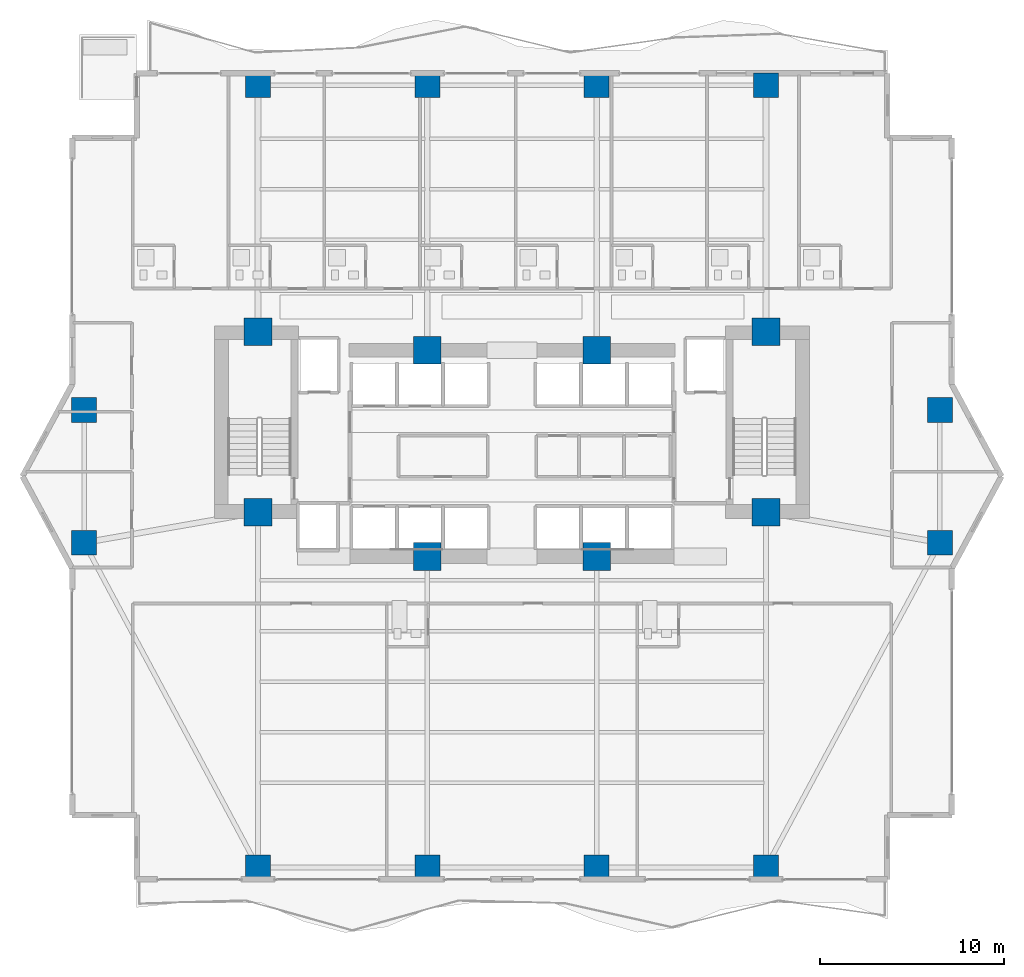
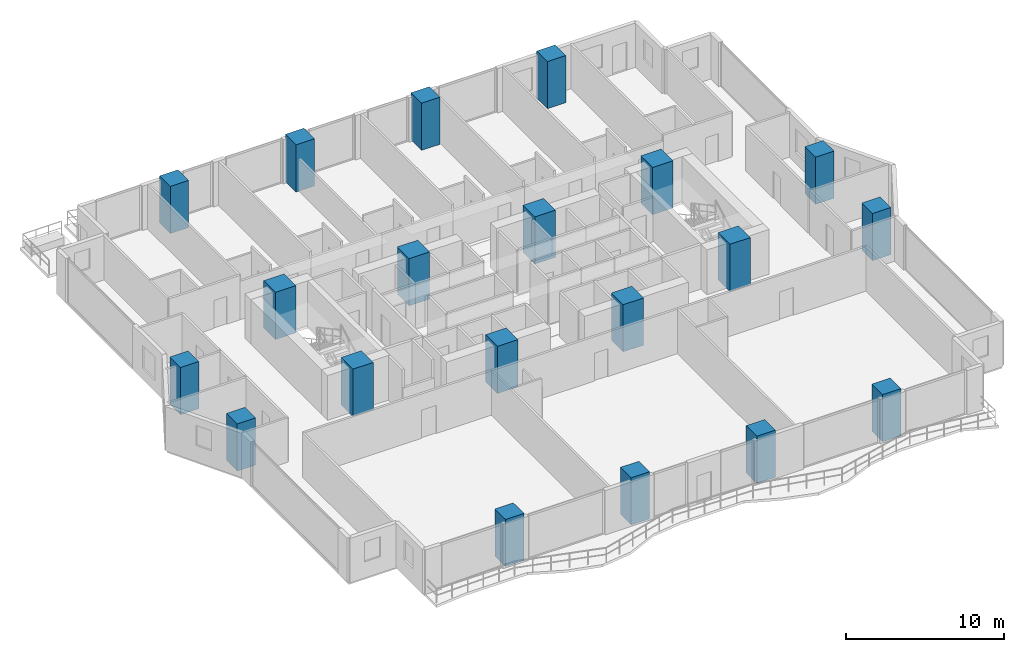
# One storey, part 1 of 29: 20 columns.
"""IFC4 building model written with IfcOpenShell, lengths in metres."""

from ifc_helpers import new_model, si_unit, direction, frame, origin, origin_2d, place, context, subcontext, project, spatial, rectangle, extrude, material, material_profile, profile_set, type_object, element, save


model = new_model("IFC4")

# Units and contexts
model_context = context("Model", 3, precision=1e-05, world=origin(), true_north=direction((0.0, 1.0)))
body_context = subcontext(model_context, "Body", "Model", "MODEL_VIEW")
ifc_project = project(units=[si_unit("LENGTHUNIT", "METRE"), si_unit("AREAUNIT", "SQUARE_METRE"), si_unit("VOLUMEUNIT", "CUBIC_METRE"), si_unit("PLANEANGLEUNIT", "RADIAN"), si_unit("MASSUNIT", "GRAM", prefix="KILO")], contexts=[model_context])

# Site, building, storey
site_placement = place(None, origin())
site = spatial("IfcSite", under=ifc_project, at=site_placement, CompositionType="ELEMENT")
building_placement = place(site_placement, origin())
building = spatial("IfcBuilding", under=site, at=building_placement, Name="Zuhayl Quay Hotel", CompositionType="ELEMENT")
storey_placement = place(building_placement, frame((0.0, 0.0, 113.89990234375)))
storey = spatial("IfcBuildingStorey", under=building, at=storey_placement, Name="L28", CompositionType="ELEMENT", Elevation=113.89990234375)

# Columns
ifc_material = material(Name="Concrete C70/85", Category="concrete")
ifc_material_profile_1 = material_profile(ifc_material, rectangle(XDim=1.5, YDim=1.5, at=origin_2d()), Name="RC1500X1500")
ifc_profile_set_1 = profile_set([ifc_material_profile_1], Name="Concrete C70/85")
column_type_1 = type_object("IfcColumnType", Name="CL_CC1_1500", PredefinedType="COLUMN", material=ifc_profile_set_1)
for number, where, z_axis, x_axis, name in (
    (1, (-13.800048828125, 14.35009765625, 0.0), (0.0, 0.0, 1.0), (1.0, 0.0, 0.0), "L28 Core Column CC_NW"),
    (2, (-4.60009765625, 13.35009765625, 0.0), (0.0, 0.0, 1.0), (1.0, 0.0, 0.0), "L28 Core Column CC_CNW"),
    (3, (4.60009765625, 13.35009765625, 0.0), (0.0, 0.0, 1.0), (1.0, 0.0, 0.0), "L28 Core Column CC_CNE"),
    (4, (13.800048828125, 14.35009765625, 0.0), (0.0, 0.0, 1.0), (1.0, 0.0, 0.0), "L28 Core Column CC_NE"),
    (5, (-13.800048828125, 4.550048828125, 0.0), (0.0, 0.0, 1.0), (1.0, 0.0, 0.0), "L28 Core Column CC_SW"),
    (6, (-4.60009765625, 2.14990234375, 0.0), (0.0, 0.0, 1.0), (1.0, 0.0, 0.0), "L28 Core Column CC_CSW"),
    (7, (4.60009765625, 2.14990234375, 0.0), (0.0, 0.0, 1.0), (1.0, 0.0, 0.0), "L28 Core Column CC_CSE"),
    (8, (13.800048828125, 4.550048828125, 0.0), (0.0, 0.0, 1.0), (1.0, 0.0, 0.0), "L28 Core Column CC_SE"),
):
    element("IfcColumn", number, at=place(storey_placement, frame(where, z_axis=z_axis, x_axis=x_axis)), inside=storey, type_object=column_type_1, Name=name, PredefinedType="COLUMN", context=body_context, shape_type="SweptSolid", body=[
        extrude(rectangle(XDim=1.5, YDim=1.5, at=origin_2d()), origin(), (0.0, 0.0, 1.0), 3.650146484375),
    ])
ifc_material_profile_2 = material_profile(ifc_material, rectangle(XDim=1.35009765625, YDim=1.35009765625, at=origin_2d()), Name="RC1350X1350")
ifc_profile_set_2 = profile_set([ifc_material_profile_2], Name="Concrete C70/85")
column_type_2 = type_object("IfcColumnType", Name="CL_MC2_1350", PredefinedType="COLUMN", material=ifc_profile_set_2)
for number, where, z_axis, x_axis, name in (
    (9, (-13.800048828125, -14.75, 0.0), (0.0, 0.0, 1.0), (1.0, 0.0, 0.0), "L28 Mega-Column MC_S1"),
    (10, (-4.60009765625, -14.75, 0.0), (0.0, 0.0, 1.0), (1.0, 0.0, 0.0), "L28 Mega-Column MC_S2"),
    (11, (4.60009765625, -14.75, 0.0), (0.0, 0.0, 1.0), (1.0, 0.0, 0.0), "L28 Mega-Column MC_S3"),
    (12, (13.800048828125, -14.75, 0.0), (0.0, 0.0, 1.0), (1.0, 0.0, 0.0), "L28 Mega-Column MC_S4"),
    (13, (-13.800048828125, 27.75, 0.0), (0.0, 0.0, 1.0), (1.0, 0.0, 0.0), "L28 Mega-Column MC_N1"),
    (14, (-4.60009765625, 27.75, 0.0), (0.0, 0.0, 1.0), (1.0, 0.0, 0.0), "L28 Mega-Column MC_N2"),
    (15, (4.60009765625, 27.75, 0.0), (0.0, 0.0, 1.0), (1.0, 0.0, 0.0), "L28 Mega-Column MC_N3"),
    (16, (13.800048828125, 27.75, 0.0), (0.0, 0.0, 1.0), (1.0, 0.0, 0.0), "L28 Mega-Column MC_N4"),
    (17, (-23.25, 2.89990234375, 0.0), (0.0, 0.0, 1.0), (1.0, 0.0, 0.0), "L28 Mega-Column MC_W1"),
    (18, (-23.25, 10.10009765625, 0.0), (0.0, 0.0, 1.0), (1.0, 0.0, 0.0), "L28 Mega-Column MC_W2"),
    (19, (23.25, 2.89990234375, 0.0), (0.0, 0.0, 1.0), (1.0, 0.0, 0.0), "L28 Mega-Column MC_E1"),
    (20, (23.25, 10.10009765625, 0.0), (0.0, 0.0, 1.0), (1.0, 0.0, 0.0), "L28 Mega-Column MC_E2"),
):
    element("IfcColumn", number, at=place(storey_placement, frame(where, z_axis=z_axis, x_axis=x_axis)), inside=storey, type_object=column_type_2, Name=name, PredefinedType="COLUMN", context=body_context, shape_type="SweptSolid", body=[
        extrude(rectangle(XDim=1.35009765625, YDim=1.35009765625, at=origin_2d()), origin(), (0.0, 0.0, 1.0), 3.650146484375),
    ])

save(model, "model.ifc")
